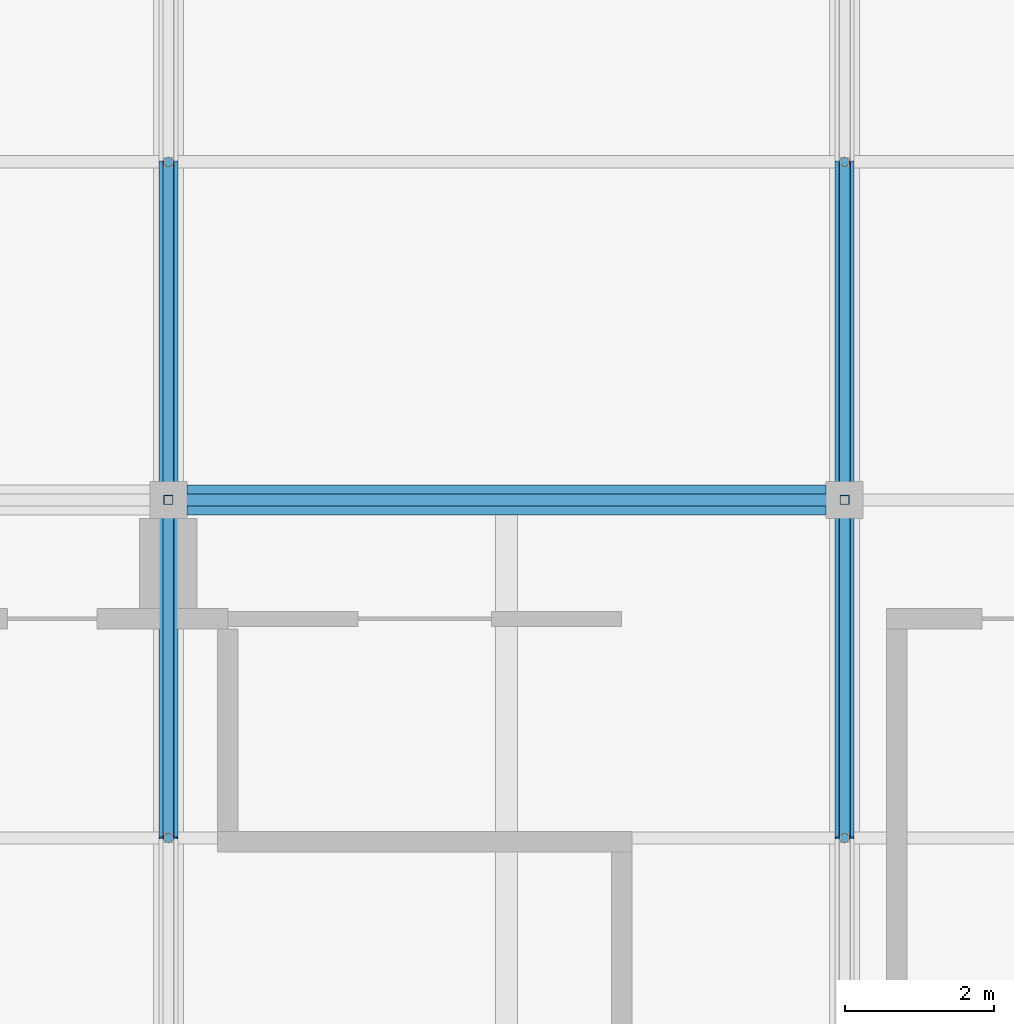
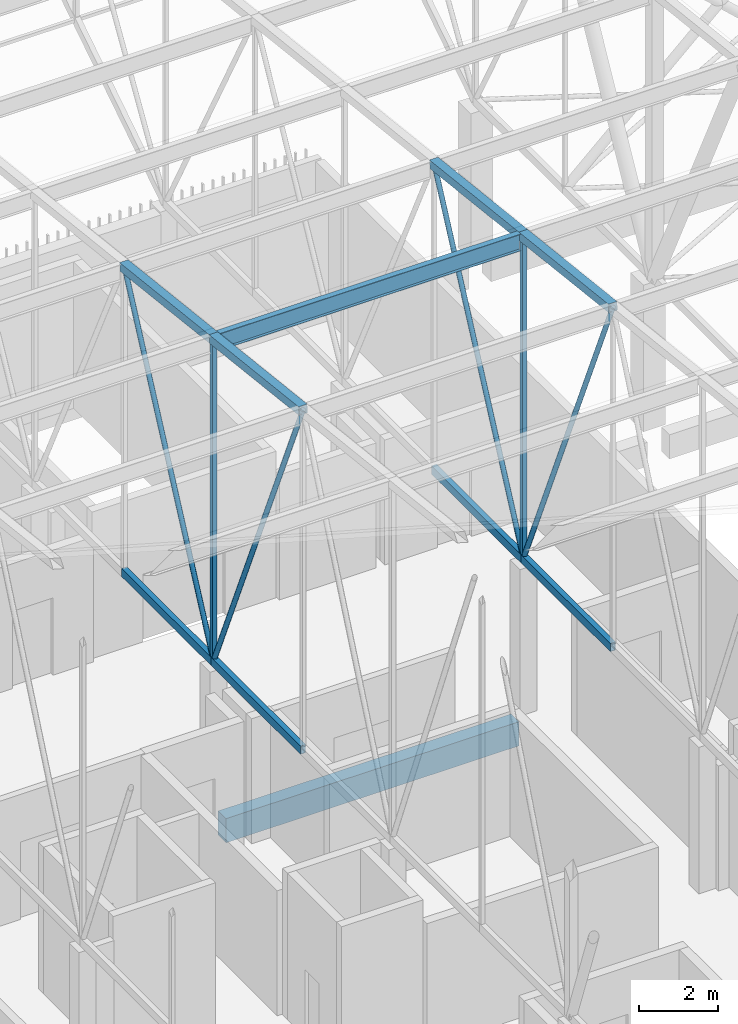
# One storey, part 236 of 500: 15 members, 1 beam.
"""IFC4 building model written with IfcOpenShell, lengths in metres."""

from ifc_helpers import new_model, si_unit, direction, frame, origin, origin_2d, place, context, subcontext, project, spatial, rectangle, hollow_rectangle, hollow_circle, i_section, extrude, material, material_profile, profile_set, type_object, element, save


model = new_model("IFC4")

# Units and contexts
model_context = context("Model", 3, precision=1e-05, world=origin(), true_north=direction((0.0, 1.0)))
body_context = subcontext(model_context, "Body", "Model", "MODEL_VIEW")
ifc_project = project(units=[si_unit("LENGTHUNIT", "METRE"), si_unit("AREAUNIT", "SQUARE_METRE"), si_unit("VOLUMEUNIT", "CUBIC_METRE"), si_unit("PLANEANGLEUNIT", "RADIAN"), si_unit("MASSUNIT", "GRAM", prefix="KILO")], contexts=[model_context])

# Site, building, storey
site_placement = place(None, origin())
site = spatial("IfcSite", under=ifc_project, at=site_placement, CompositionType="ELEMENT")
building_placement = place(site_placement, origin())
building = spatial("IfcBuilding", under=site, at=building_placement, Name="Shirokan Park Arena", CompositionType="ELEMENT")
storey_placement = place(building_placement, frame((0.0, 0.0, 29.1201171875)))
storey = spatial("IfcBuildingStorey", under=building, at=storey_placement, Name="L06", CompositionType="ELEMENT", Elevation=29.1201171875)

# Members
ifc_material_1 = material(Name="Steel ASTM A500 Grade C", Category="steel")
ifc_material_profile_1 = material_profile(ifc_material_1, hollow_rectangle(XDim=0.152099609375, YDim=0.25390625, WallThickness=0.009521484375, at=origin_2d()), Name="HSS254X152.4X9.5")
ifc_profile_set_1 = profile_set([ifc_material_profile_1], Name="Steel ASTM A500 Grade C")
member_type_1 = type_object("IfcMemberType", Name="Bottom chord HSS254X152.4X9.5", PredefinedType="CHORD", material=ifc_profile_set_1)
for number, where, z_axis, x_axis, name in (
    (1, (27.300048828125, 86.449951171875, 4.677001953125), (0.0, 1.0, 0.0), (-1.0, 0.0, 0.0), "Truss T04 bottom chord 22"),
    (2, (27.300048828125, 91.0, 4.677001953125), (0.0, 1.0, 0.0), (-1.0, 0.0, 0.0), "Truss T04 bottom chord 23"),
    (3, (36.39990234375, 86.449951171875, 4.677001953125), (0.0, 1.0, 0.0), (-1.0, 0.0, 0.0), "Truss T05 bottom chord 22"),
    (4, (36.39990234375, 91.0, 4.677001953125), (0.0, 1.0, 0.0), (-1.0, 0.0, 0.0), "Truss T05 bottom chord 23"),
):
    element("IfcMember", number, at=place(storey_placement, frame(where, z_axis=z_axis, x_axis=x_axis)), inside=storey, type_object=member_type_1, Name=name, PredefinedType="CHORD", context=body_context, shape_type="SweptSolid", body=[
        extrude(hollow_rectangle(XDim=0.152099609375, YDim=0.25390625, WallThickness=0.009521484375, at=origin_2d()), origin(), (0.0, 0.0, 1.0), 4.550048828125),
    ])
ifc_material_2 = material(Name="Steel ASTM A992", Category="steel")
ifc_material_profile_2 = material_profile(ifc_material_2, i_section(OverallWidth=0.166015625, OverallDepth=0.528076171875, WebThickness=0.009765625, FlangeThickness=0.013671875, at=origin_2d()), Name="W530X74")
ifc_profile_set_2 = profile_set([ifc_material_profile_2], Name="Steel ASTM A992")
member_type_2 = type_object("IfcMemberType", Name="Purlin W530X74", PredefinedType="PURLIN", material=ifc_profile_set_2)
member_1_placement = place(storey_placement, frame((27.427001953125, 91.0, 14.56591796875), z_axis=(1.0, 0.0, 0.0), x_axis=(0.0, 1.0, 0.0)))
element("IfcMember", 5, at=member_1_placement, inside=storey, type_object=member_type_2, Name="Purlin 23 bay 4", PredefinedType="PURLIN", context=body_context, shape_type="SweptSolid", body=[
    extrude(i_section(OverallWidth=0.166015625, OverallDepth=0.528076171875, WebThickness=0.009765625, FlangeThickness=0.013671875, at=origin_2d()), origin(), (0.0, 0.0, 1.0), 8.845947265625),
])

# Beam
ifc_material_3 = material(Name="Concrete C35", Category="concrete")
ifc_material_profile_3 = material_profile(ifc_material_3, rectangle(XDim=0.39990234375, YDim=0.75, at=origin_2d()), Name="400x750")
ifc_profile_set_3 = profile_set([ifc_material_profile_3], Name="Concrete C35")
beam_type = type_object("IfcBeamType", Name="RC girder 400x750", PredefinedType="BEAM", material=ifc_profile_set_3)
beam_placement = place(storey_placement, frame((27.550048828125, 91.0, -0.5751953125), z_axis=(1.0, 0.0, 0.0), x_axis=(0.0, 1.0, 0.0)))
element("IfcBeam", 6, at=beam_placement, inside=storey, type_object=beam_type, Name="Girder 4L-5L L06", PredefinedType="BEAM", context=body_context, shape_type="SweptSolid", body=[
    extrude(rectangle(XDim=0.39990234375, YDim=0.75, at=origin_2d()), origin(), (0.0, 0.0, 1.0), 8.599853515625),
])

# Members
ifc_material_profile_4 = material_profile(ifc_material_1, hollow_rectangle(XDim=0.25390625, YDim=0.25390625, WallThickness=0.009521484375, at=origin_2d()), Name="HSS254X254X9.5")
ifc_profile_set_4 = profile_set([ifc_material_profile_4], Name="Steel ASTM A500 Grade C")
member_type_3 = type_object("IfcMemberType", Name="Top chord HSS254X254X9.5", PredefinedType="CHORD", material=ifc_profile_set_4)
for number, where, z_axis, x_axis, name in (
    (7, (27.300048828125, 86.449951171875, 15.222900390625), (0.0, 0.993532328996, -0.113549598152), (-1.0, 0.0, 0.0), "Truss T04 top chord 22"),
    (8, (27.300048828125, 91.0, 14.702880859375), (0.0, 0.993532328996, -0.113549598152), (-1.0, 0.0, 0.0), "Truss T04 top chord 23"),
    (9, (36.39990234375, 86.449951171875, 15.222900390625), (0.0, 0.993532328996, -0.113549598152), (-1.0, 0.0, 0.0), "Truss T05 top chord 22"),
    (10, (36.39990234375, 91.0, 14.702880859375), (0.0, 0.993532328996, -0.113549598152), (-1.0, 0.0, 0.0), "Truss T05 top chord 23"),
):
    element("IfcMember", number, at=place(storey_placement, frame(where, z_axis=z_axis, x_axis=x_axis)), inside=storey, type_object=member_type_3, Name=name, PredefinedType="CHORD", context=body_context, shape_type="SweptSolid", body=[
        extrude(hollow_rectangle(XDim=0.25390625, YDim=0.25390625, WallThickness=0.009521484375, at=origin_2d()), origin(), (0.0, 0.0, 1.0), 4.57958984375),
    ])
ifc_material_profile_5 = material_profile(ifc_material_1, hollow_circle(Radius=0.070556640625, WallThickness=0.006591796875, at=origin_2d()), Name="HSS141.3X6.6")
ifc_profile_set_5 = profile_set([ifc_material_profile_5], Name="Steel ASTM A500 Grade C")
member_type_4 = type_object("IfcMemberType", Name="Truss diagonal HSS141.3X6.6", PredefinedType="BRACE", material=ifc_profile_set_5)
member_2_placement = place(storey_placement, frame((27.300048828125, 86.449951171875, 15.222900390625), z_axis=(0.0, 0.396152605513, -0.918184683572), x_axis=(-1.0, 0.0, 0.0)))
element("IfcMember", 11, at=member_2_placement, inside=storey, type_object=member_type_4, Name="Truss T04 diagonal 22", PredefinedType="BRACE", context=body_context, shape_type="SweptSolid", body=[
    extrude(hollow_circle(Radius=0.070556640625, WallThickness=0.006591796875, at=origin_2d()), origin(), (0.0, 0.0, 1.0), 11.485595703125),
])
member_3_placement = place(storey_placement, frame((27.300048828125, 91.0, 4.677001953125), z_axis=(0.0, 0.431746476626, 0.901994999942), x_axis=(-1.0, 0.0, 0.0)))
element("IfcMember", 12, at=member_3_placement, inside=storey, type_object=member_type_4, Name="Truss T04 diagonal 23", PredefinedType="BRACE", context=body_context, shape_type="SweptSolid", body=[
    extrude(hollow_circle(Radius=0.070556640625, WallThickness=0.006591796875, at=origin_2d()), origin(), (0.0, 0.0, 1.0), 10.538818359375),
])
member_4_placement = place(storey_placement, frame((36.39990234375, 86.449951171875, 15.222900390625), z_axis=(0.0, 0.396152605513, -0.918184683572), x_axis=(-1.0, 0.0, 0.0)))
element("IfcMember", 13, at=member_4_placement, inside=storey, type_object=member_type_4, Name="Truss T05 diagonal 22", PredefinedType="BRACE", context=body_context, shape_type="SweptSolid", body=[
    extrude(hollow_circle(Radius=0.070556640625, WallThickness=0.006591796875, at=origin_2d()), origin(), (0.0, 0.0, 1.0), 11.485595703125),
])
member_5_placement = place(storey_placement, frame((36.39990234375, 91.0, 4.677001953125), z_axis=(0.0, 0.431746476626, 0.901994999942), x_axis=(-1.0, 0.0, 0.0)))
element("IfcMember", 14, at=member_5_placement, inside=storey, type_object=member_type_4, Name="Truss T05 diagonal 23", PredefinedType="BRACE", context=body_context, shape_type="SweptSolid", body=[
    extrude(hollow_circle(Radius=0.070556640625, WallThickness=0.006591796875, at=origin_2d()), origin(), (0.0, 0.0, 1.0), 10.538818359375),
])
ifc_material_profile_6 = material_profile(ifc_material_1, hollow_rectangle(XDim=0.126953125, YDim=0.126953125, WallThickness=0.008056640625, at=origin_2d()), Name="HSS127X127X7.9")
ifc_profile_set_6 = profile_set([ifc_material_profile_6], Name="Steel ASTM A500 Grade C")
member_type_5 = type_object("IfcMemberType", Name="Truss post HSS127X127X7.9", PredefinedType="POST", material=ifc_profile_set_6)
for number, where, z_axis, x_axis, name in (
    (15, (27.300048828125, 91.0, 4.677001953125), (0.0, 0.0, 1.0), (1.0, 0.0, 0.0), "Truss T04 post 23"),
    (16, (36.39990234375, 91.0, 4.677001953125), (0.0, 0.0, 1.0), (1.0, 0.0, 0.0), "Truss T05 post 23"),
):
    element("IfcMember", number, at=place(storey_placement, frame(where, z_axis=z_axis, x_axis=x_axis)), inside=storey, type_object=member_type_5, Name=name, PredefinedType="POST", context=body_context, shape_type="SweptSolid", body=[
        extrude(hollow_rectangle(XDim=0.126953125, YDim=0.126953125, WallThickness=0.008056640625, at=origin_2d()), origin(), (0.0, 0.0, 1.0), 10.02587890625),
    ])

save(model, "model.ifc")
